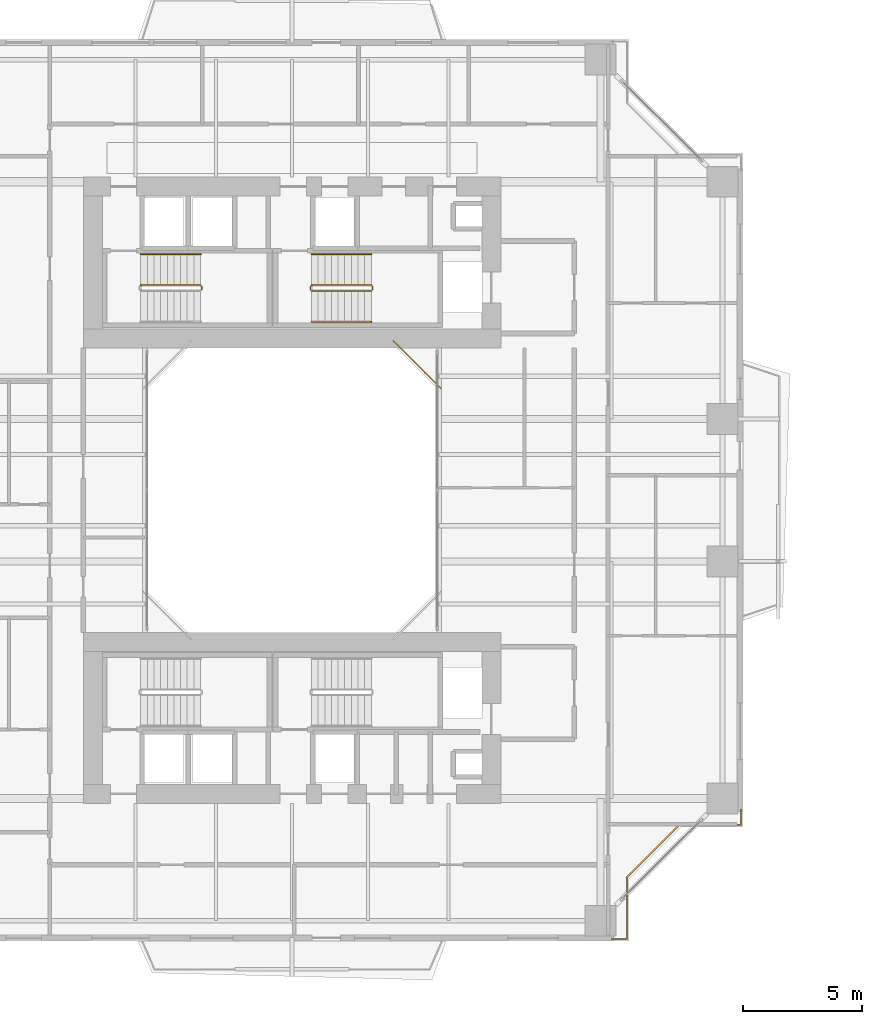
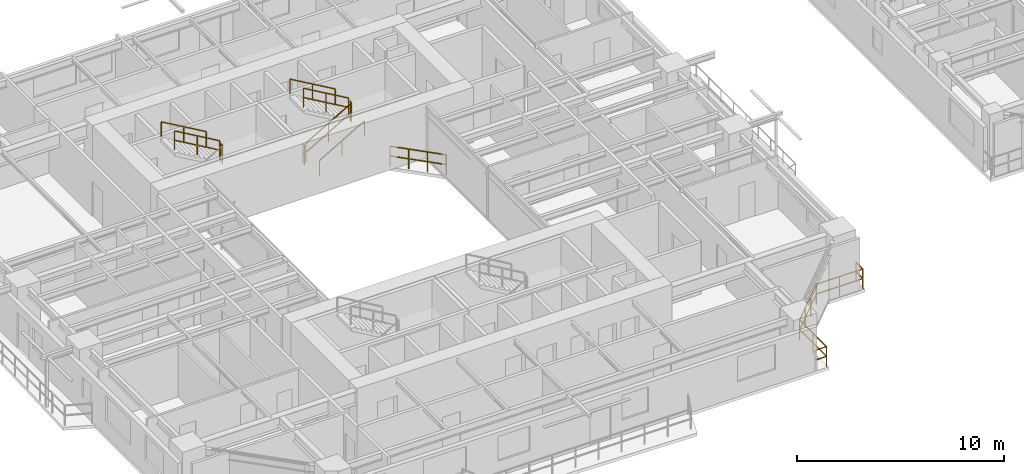
# One storey, part 20 of 23: 11 railings.
"""IFC4 building model written with IfcOpenShell, lengths in metres."""

from ifc_helpers import new_model, si_unit, direction, frame, origin, origin_2d, place, context, subcontext, project, spatial, rectangle, extrude, material, type_object, element, save


model = new_model("IFC4")

# Units and contexts
model_context = context("Model", 3, precision=1e-05, world=origin(), true_north=direction((0.0, 1.0)))
body_context = subcontext(model_context, "Body", "Model", "MODEL_VIEW")
ifc_project = project(units=[si_unit("LENGTHUNIT", "METRE"), si_unit("AREAUNIT", "SQUARE_METRE"), si_unit("VOLUMEUNIT", "CUBIC_METRE"), si_unit("PLANEANGLEUNIT", "RADIAN"), si_unit("MASSUNIT", "GRAM", prefix="KILO"), si_unit("THERMODYNAMICTEMPERATUREUNIT", "KELVIN"), si_unit("POWERUNIT", "WATT")], contexts=[model_context])

# Site, building, storey
site_placement = place(None, origin())
site = spatial("IfcSite", under=ifc_project, at=site_placement, CompositionType="ELEMENT")
building_placement = place(site_placement, origin())
building = spatial("IfcBuilding", under=site, at=building_placement, Name="Qiaomeng Ring Towers", CompositionType="ELEMENT")
storey_placement = place(building_placement, frame((0.0, 0.0, 76.25)))
storey = spatial("IfcBuildingStorey", under=building, at=storey_placement, Name="L21", CompositionType="ELEMENT", Elevation=76.25)

# Railings
ifc_material_1 = material(Name="Low-E pale-green laminated safety glass", Category="glass")
railing_type_1 = type_object("IfcRailingType", Name="ARC-RL-BAL1", PredefinedType="BALUSTRADE", material=ifc_material_1)
railing_1_placement = place(storey_placement, frame((25.280029296875, 27.280029296875, 0.0)))
element("IfcRailing", 1, at=railing_1_placement, inside=storey, type_object=railing_type_1, Name="L21 Balustrade ARC-BAL-WELL1-L21-2", PredefinedType="BALUSTRADE", context=body_context, shape_type="SweptSolid", body=[
    extrude(rectangle(XDim=0.048095703125, YDim=0.048095703125, at=origin_2d()), frame((0.0, 0.0, 1.17578125), z_axis=(-0.707106781187, 0.707106781187, 0.0), x_axis=(-0.707106781187, -0.707106781187, 0.0)), (0.0, 0.0, 1.0), 2.828369140625),
    extrude(rectangle(XDim=0.048095703125, YDim=0.048095703125, at=origin_2d()), frame((0.0, 0.0, 0.60009765625), z_axis=(-0.707106781187, 0.707106781187, 0.0), x_axis=(-0.707106781187, -0.707106781187, 0.0)), (0.0, 0.0, 1.0), 2.828369140625),
    extrude(rectangle(XDim=0.0419921875, YDim=0.0419921875, at=origin_2d()), origin(), (0.0, 0.0, 1.0), 1.15185546875),
    extrude(rectangle(XDim=0.0419921875, YDim=0.0419921875, at=origin_2d()), frame((-0.666748046875, 0.666748046875, 0.0)), (0.0, 0.0, 1.0), 1.15185546875),
    extrude(rectangle(XDim=0.0419921875, YDim=0.0419921875, at=origin_2d()), frame((-1.333251953125, 1.333251953125, 0.0)), (0.0, 0.0, 1.0), 1.15185546875),
    extrude(rectangle(XDim=0.0419921875, YDim=0.0419921875, at=origin_2d()), frame((-2.0, 2.0, 0.0)), (0.0, 0.0, 1.0), 1.15185546875),
])
railing_2_placement = place(storey_placement, frame((32.469970703125, 4.080078125, 0.0)))
element("IfcRailing", 2, at=railing_2_placement, inside=storey, type_object=railing_type_1, Name="L21 Balustrade ARC-BAL-NOTCH1-L21-SE", PredefinedType="BALUSTRADE", context=body_context, shape_type="SweptSolid", body=[
    extrude(rectangle(XDim=0.048095703125, YDim=0.048095703125, at=origin_2d()), frame((0.0, 0.0, 1.17578125), z_axis=(1.0, 0.0, 0.0), x_axis=(0.0, 1.0, 0.0)), (0.0, 0.0, 1.0), 0.650146484375),
    extrude(rectangle(XDim=0.048095703125, YDim=0.048095703125, at=origin_2d()), frame((0.0, 0.0, 0.60009765625), z_axis=(1.0, 0.0, 0.0), x_axis=(0.0, 1.0, 0.0)), (0.0, 0.0, 1.0), 0.650146484375),
    extrude(rectangle(XDim=0.048095703125, YDim=0.048095703125, at=origin_2d()), frame((0.650146484375, 0.0, 1.17578125), z_axis=(0.0, 1.0, 0.0), x_axis=(-1.0, 0.0, 0.0)), (0.0, 0.0, 1.0), 2.599853515625),
    extrude(rectangle(XDim=0.048095703125, YDim=0.048095703125, at=origin_2d()), frame((0.650146484375, 0.0, 0.60009765625), z_axis=(0.0, 1.0, 0.0), x_axis=(-1.0, 0.0, 0.0)), (0.0, 0.0, 1.0), 2.599853515625),
    extrude(rectangle(XDim=0.048095703125, YDim=0.048095703125, at=origin_2d()), frame((0.650146484375, 2.599853515625, 1.17578125), z_axis=(0.707106781187, 0.707106781187, 0.0), x_axis=(-0.707106781187, 0.707106781187, 0.0)), (0.0, 0.0, 1.0), 3.111083984375),
    extrude(rectangle(XDim=0.048095703125, YDim=0.048095703125, at=origin_2d()), frame((0.650146484375, 2.599853515625, 0.60009765625), z_axis=(0.707106781187, 0.707106781187, 0.0), x_axis=(-0.707106781187, 0.707106781187, 0.0)), (0.0, 0.0, 1.0), 3.111083984375),
    extrude(rectangle(XDim=0.048095703125, YDim=0.048095703125, at=origin_2d()), frame((2.85009765625, 4.7998046875, 1.17578125), z_axis=(1.0, 0.0, 0.0), x_axis=(0.0, 1.0, 0.0)), (0.0, 0.0, 1.0), 2.599853515625),
    extrude(rectangle(XDim=0.048095703125, YDim=0.048095703125, at=origin_2d()), frame((2.85009765625, 4.7998046875, 0.60009765625), z_axis=(1.0, 0.0, 0.0), x_axis=(0.0, 1.0, 0.0)), (0.0, 0.0, 1.0), 2.599853515625),
    extrude(rectangle(XDim=0.048095703125, YDim=0.048095703125, at=origin_2d()), frame((5.449951171875, 4.7998046875, 1.17578125), z_axis=(0.0, 1.0, 0.0), x_axis=(-1.0, 0.0, 0.0)), (0.0, 0.0, 1.0), 0.650146484375),
    extrude(rectangle(XDim=0.048095703125, YDim=0.048095703125, at=origin_2d()), frame((5.449951171875, 4.7998046875, 0.60009765625), z_axis=(0.0, 1.0, 0.0), x_axis=(-1.0, 0.0, 0.0)), (0.0, 0.0, 1.0), 0.650146484375),
    extrude(rectangle(XDim=0.0419921875, YDim=0.0419921875, at=origin_2d()), origin(), (0.0, 0.0, 1.0), 1.15185546875),
    extrude(rectangle(XDim=0.0419921875, YDim=0.0419921875, at=origin_2d()), frame((0.650146484375, 0.0, 0.0)), (0.0, 0.0, 1.0), 1.15185546875),
    extrude(rectangle(XDim=0.0419921875, YDim=0.0419921875, at=origin_2d()), frame((0.650146484375, 1.2998046875, 0.0)), (0.0, 0.0, 1.0), 1.15185546875),
    extrude(rectangle(XDim=0.0419921875, YDim=0.0419921875, at=origin_2d()), frame((0.650146484375, 2.599853515625, 0.0)), (0.0, 0.0, 1.0), 1.15185546875),
    extrude(rectangle(XDim=0.0419921875, YDim=0.0419921875, at=origin_2d()), frame((1.383544921875, 3.333251953125, 0.0)), (0.0, 0.0, 1.0), 1.15185546875),
    extrude(rectangle(XDim=0.0419921875, YDim=0.0419921875, at=origin_2d()), frame((2.11669921875, 4.06640625, 0.0)), (0.0, 0.0, 1.0), 1.15185546875),
    extrude(rectangle(XDim=0.0419921875, YDim=0.0419921875, at=origin_2d()), frame((2.85009765625, 4.7998046875, 0.0)), (0.0, 0.0, 1.0), 1.15185546875),
    extrude(rectangle(XDim=0.0419921875, YDim=0.0419921875, at=origin_2d()), frame((4.14990234375, 4.7998046875, 0.0)), (0.0, 0.0, 1.0), 1.15185546875),
    extrude(rectangle(XDim=0.0419921875, YDim=0.0419921875, at=origin_2d()), frame((5.449951171875, 4.7998046875, 0.0)), (0.0, 0.0, 1.0), 1.15185546875),
    extrude(rectangle(XDim=0.0419921875, YDim=0.0419921875, at=origin_2d()), frame((5.449951171875, 5.449951171875, 0.0)), (0.0, 0.0, 1.0), 1.15185546875),
])
ifc_material_2 = material(Name="Galvanised steel", Category="steel")
railing_type_2 = type_object("IfcRailingType", Name="ARC-RL-GUARD", PredefinedType="GUARDRAIL", material=ifc_material_2)
railing_3_placement = place(storey_placement, frame((15.18994140625, 31.449951171875, 1.625)))
element("IfcRailing", 3, at=railing_3_placement, inside=storey, type_object=railing_type_2, Name="L21 ST1 stair guard 2", PredefinedType="GUARDRAIL", context=body_context, shape_type="SweptSolid", body=[
    extrude(rectangle(XDim=0.048095703125, YDim=0.048095703125, at=origin_2d()), frame((0.0, 0.0, 1.1259765625), z_axis=(0.0, 1.0, 0.0), x_axis=(-1.0, 0.0, 0.0)), (0.0, 0.0, 1.0), 0.14013671875),
    extrude(rectangle(XDim=0.048095703125, YDim=0.048095703125, at=origin_2d()), frame((0.0, 0.0, 0.574951171875), z_axis=(0.0, 1.0, 0.0), x_axis=(-1.0, 0.0, 0.0)), (0.0, 0.0, 1.0), 0.14013671875),
    extrude(rectangle(XDim=0.0419921875, YDim=0.0419921875, at=origin_2d()), origin(), (0.0, 0.0, 1.0), 1.101806640625),
    extrude(rectangle(XDim=0.0419921875, YDim=0.0419921875, at=origin_2d()), frame((0.0, 0.14013671875, 0.0)), (0.0, 0.0, 1.0), 1.101806640625),
])
railing_4_placement = place(storey_placement, frame((15.139892578125, 31.639892578125, 1.78759765625)))
element("IfcRailing", 4, at=railing_4_placement, inside=storey, type_object=railing_type_2, Name="L21 ST1 stair guard 3", PredefinedType="GUARDRAIL", context=body_context, shape_type="SweptSolid", body=[
    extrude(rectangle(XDim=0.048095703125, YDim=0.048095703125, at=origin_2d()), frame((0.0, 0.0, 1.1259765625), z_axis=(-0.864892226395, 0.0, 0.501957604506), x_axis=(0.0, -1.0, 0.0)), (0.0, 0.0, 1.0), 2.913330078125),
    extrude(rectangle(XDim=0.048095703125, YDim=0.048095703125, at=origin_2d()), frame((0.0, 0.0, 0.574951171875), z_axis=(-0.864892226395, 0.0, 0.501957604506), x_axis=(0.0, -1.0, 0.0)), (0.0, 0.0, 1.0), 2.913330078125),
    extrude(rectangle(XDim=0.0419921875, YDim=0.0419921875, at=origin_2d()), origin(), (0.0, 0.0, 1.0), 1.101806640625),
    extrude(rectangle(XDim=0.0419921875, YDim=0.0419921875, at=origin_2d()), frame((-1.259765625, 0.0, 0.731201171875)), (0.0, 0.0, 1.0), 1.101806640625),
    extrude(rectangle(XDim=0.0419921875, YDim=0.0419921875, at=origin_2d()), frame((-2.519775390625, 0.0, 1.46240234375)), (0.0, 0.0, 1.0), 1.101806640625),
])
railing_5_placement = place(storey_placement, frame((19.820068359375, 31.39990234375, 0.16259765625)))
element("IfcRailing", 5, at=railing_5_placement, inside=storey, type_object=railing_type_2, Name="L21 ST2 stair guard 1", PredefinedType="GUARDRAIL", context=body_context, shape_type="SweptSolid", body=[
    extrude(rectangle(XDim=0.048095703125, YDim=0.048095703125, at=origin_2d()), frame((0.0, 0.0, 1.1259765625), z_axis=(0.864913338283, 0.0, 0.50192122615), x_axis=(0.0, 1.0, 0.0)), (0.0, 0.0, 1.0), 2.91357421875),
    extrude(rectangle(XDim=0.048095703125, YDim=0.048095703125, at=origin_2d()), frame((0.0, 0.0, 0.574951171875), z_axis=(0.864913338283, 0.0, 0.50192122615), x_axis=(0.0, 1.0, 0.0)), (0.0, 0.0, 1.0), 2.91357421875),
    extrude(rectangle(XDim=0.0419921875, YDim=0.0419921875, at=origin_2d()), origin(), (0.0, 0.0, 1.0), 1.101806640625),
    extrude(rectangle(XDim=0.0419921875, YDim=0.0419921875, at=origin_2d()), frame((1.260009765625, 0.0, 0.731201171875)), (0.0, 0.0, 1.0), 1.101806640625),
    extrude(rectangle(XDim=0.0419921875, YDim=0.0419921875, at=origin_2d()), frame((2.52001953125, 0.0, 1.46240234375)), (0.0, 0.0, 1.0), 1.101806640625),
])
railing_6_placement = place(storey_placement, frame((22.389892578125, 31.449951171875, 1.625)))
element("IfcRailing", 6, at=railing_6_placement, inside=storey, type_object=railing_type_2, Name="L21 ST2 stair guard 2", PredefinedType="GUARDRAIL", context=body_context, shape_type="SweptSolid", body=[
    extrude(rectangle(XDim=0.048095703125, YDim=0.048095703125, at=origin_2d()), frame((0.0, 0.0, 1.1259765625), z_axis=(0.0, 1.0, 0.0), x_axis=(-1.0, 0.0, 0.0)), (0.0, 0.0, 1.0), 0.14013671875),
    extrude(rectangle(XDim=0.048095703125, YDim=0.048095703125, at=origin_2d()), frame((0.0, 0.0, 0.574951171875), z_axis=(0.0, 1.0, 0.0), x_axis=(-1.0, 0.0, 0.0)), (0.0, 0.0, 1.0), 0.14013671875),
    extrude(rectangle(XDim=0.0419921875, YDim=0.0419921875, at=origin_2d()), origin(), (0.0, 0.0, 1.0), 1.101806640625),
    extrude(rectangle(XDim=0.0419921875, YDim=0.0419921875, at=origin_2d()), frame((0.0, 0.14013671875, 0.0)), (0.0, 0.0, 1.0), 1.101806640625),
])
railing_7_placement = place(storey_placement, frame((22.340087890625, 31.639892578125, 1.78759765625)))
element("IfcRailing", 7, at=railing_7_placement, inside=storey, type_object=railing_type_2, Name="L21 ST2 stair guard 3", PredefinedType="GUARDRAIL", context=body_context, shape_type="SweptSolid", body=[
    extrude(rectangle(XDim=0.048095703125, YDim=0.048095703125, at=origin_2d()), frame((0.0, 0.0, 1.1259765625), z_axis=(-0.864913338283, 0.0, 0.50192122615), x_axis=(0.0, -1.0, 0.0)), (0.0, 0.0, 1.0), 2.91357421875),
    extrude(rectangle(XDim=0.048095703125, YDim=0.048095703125, at=origin_2d()), frame((0.0, 0.0, 0.574951171875), z_axis=(-0.864913338283, 0.0, 0.50192122615), x_axis=(0.0, -1.0, 0.0)), (0.0, 0.0, 1.0), 2.91357421875),
    extrude(rectangle(XDim=0.0419921875, YDim=0.0419921875, at=origin_2d()), origin(), (0.0, 0.0, 1.0), 1.101806640625),
    extrude(rectangle(XDim=0.0419921875, YDim=0.0419921875, at=origin_2d()), frame((-1.260009765625, 0.0, 0.731201171875)), (0.0, 0.0, 1.0), 1.101806640625),
    extrude(rectangle(XDim=0.0419921875, YDim=0.0419921875, at=origin_2d()), frame((-2.52001953125, 0.0, 1.46240234375)), (0.0, 0.0, 1.0), 1.101806640625),
])
railing_8_placement = place(storey_placement, frame((19.77001953125, 31.449951171875, 0.0)))
element("IfcRailing", 8, at=railing_8_placement, inside=storey, type_object=railing_type_2, Name="L21 ST2 stair guard 4", PredefinedType="GUARDRAIL", context=body_context, shape_type="SweptSolid", body=[
    extrude(rectangle(XDim=0.048095703125, YDim=0.048095703125, at=origin_2d()), frame((0.0, 0.0, 1.1259765625), z_axis=(0.0, 1.0, 0.0), x_axis=(-1.0, 0.0, 0.0)), (0.0, 0.0, 1.0), 0.14013671875),
    extrude(rectangle(XDim=0.048095703125, YDim=0.048095703125, at=origin_2d()), frame((0.0, 0.0, 0.574951171875), z_axis=(0.0, 1.0, 0.0), x_axis=(-1.0, 0.0, 0.0)), (0.0, 0.0, 1.0), 0.14013671875),
    extrude(rectangle(XDim=0.0419921875, YDim=0.0419921875, at=origin_2d()), origin(), (0.0, 0.0, 1.0), 1.101806640625),
    extrude(rectangle(XDim=0.0419921875, YDim=0.0419921875, at=origin_2d()), frame((0.0, 0.14013671875, 0.0)), (0.0, 0.0, 1.0), 1.101806640625),
])
ifc_material_3 = material(Name="Stainless steel 316", Category="steel")
railing_type_3 = type_object("IfcRailingType", Name="ARC-RL-HAND", PredefinedType="HANDRAIL", material=ifc_material_3)
railing_9_placement = place(storey_placement, frame((15.139892578125, 32.93994140625, 1.78759765625)))
element("IfcRailing", 9, at=railing_9_placement, inside=storey, type_object=railing_type_3, Name="L21 ST1 stair handrail 2", PredefinedType="HANDRAIL", context=body_context, shape_type="SweptSolid", body=[
    extrude(rectangle(XDim=0.048095703125, YDim=0.048095703125, at=origin_2d()), frame((0.0, 0.0, 0.8759765625), z_axis=(-0.864892226395, 0.0, 0.501957604506), x_axis=(0.0, -1.0, 0.0)), (0.0, 0.0, 1.0), 2.913330078125),
    extrude(rectangle(XDim=0.0419921875, YDim=0.0419921875, at=origin_2d()), origin(), (0.0, 0.0, 1.0), 0.851806640625),
    extrude(rectangle(XDim=0.0419921875, YDim=0.0419921875, at=origin_2d()), frame((-1.259765625, 0.0, 0.731201171875)), (0.0, 0.0, 1.0), 0.851806640625),
    extrude(rectangle(XDim=0.0419921875, YDim=0.0419921875, at=origin_2d()), frame((-2.519775390625, 0.0, 1.46240234375)), (0.0, 0.0, 1.0), 0.851806640625),
])
railing_10_placement = place(storey_placement, frame((19.820068359375, 30.10009765625, 0.16259765625)))
element("IfcRailing", 10, at=railing_10_placement, inside=storey, type_object=railing_type_3, Name="L21 ST2 stair handrail 1", PredefinedType="HANDRAIL", context=body_context, shape_type="SweptSolid", body=[
    extrude(rectangle(XDim=0.048095703125, YDim=0.048095703125, at=origin_2d()), frame((0.0, 0.0, 0.8759765625), z_axis=(0.864913338283, 0.0, 0.50192122615), x_axis=(0.0, 1.0, 0.0)), (0.0, 0.0, 1.0), 2.91357421875),
    extrude(rectangle(XDim=0.0419921875, YDim=0.0419921875, at=origin_2d()), origin(), (0.0, 0.0, 1.0), 0.851806640625),
    extrude(rectangle(XDim=0.0419921875, YDim=0.0419921875, at=origin_2d()), frame((1.260009765625, 0.0, 0.731201171875)), (0.0, 0.0, 1.0), 0.851806640625),
    extrude(rectangle(XDim=0.0419921875, YDim=0.0419921875, at=origin_2d()), frame((2.52001953125, 0.0, 1.46240234375)), (0.0, 0.0, 1.0), 0.851806640625),
])
railing_11_placement = place(storey_placement, frame((22.340087890625, 32.93994140625, 1.78759765625)))
element("IfcRailing", 11, at=railing_11_placement, inside=storey, type_object=railing_type_3, Name="L21 ST2 stair handrail 2", PredefinedType="HANDRAIL", context=body_context, shape_type="SweptSolid", body=[
    extrude(rectangle(XDim=0.048095703125, YDim=0.048095703125, at=origin_2d()), frame((0.0, 0.0, 0.8759765625), z_axis=(-0.864913338283, 0.0, 0.50192122615), x_axis=(0.0, -1.0, 0.0)), (0.0, 0.0, 1.0), 2.91357421875),
    extrude(rectangle(XDim=0.0419921875, YDim=0.0419921875, at=origin_2d()), origin(), (0.0, 0.0, 1.0), 0.851806640625),
    extrude(rectangle(XDim=0.0419921875, YDim=0.0419921875, at=origin_2d()), frame((-1.260009765625, 0.0, 0.731201171875)), (0.0, 0.0, 1.0), 0.851806640625),
    extrude(rectangle(XDim=0.0419921875, YDim=0.0419921875, at=origin_2d()), frame((-2.52001953125, 0.0, 1.46240234375)), (0.0, 0.0, 1.0), 0.851806640625),
])

save(model, "model.ifc")
